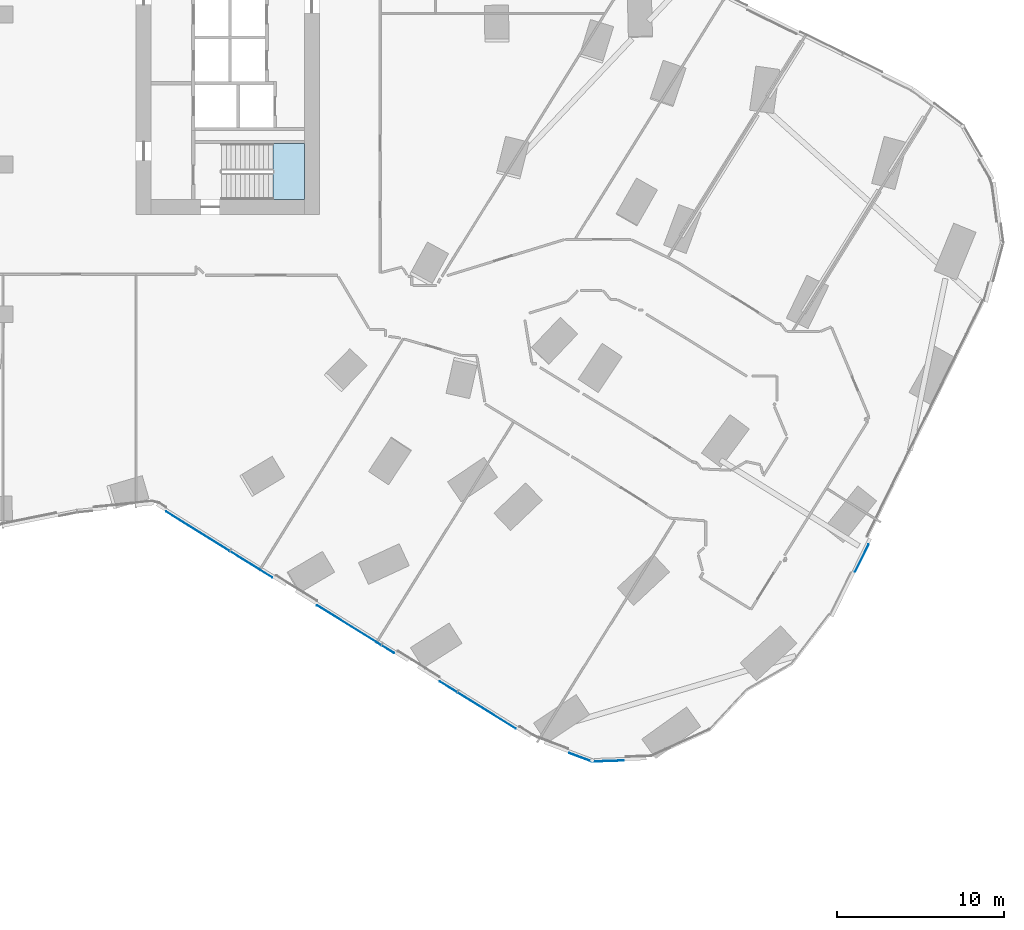
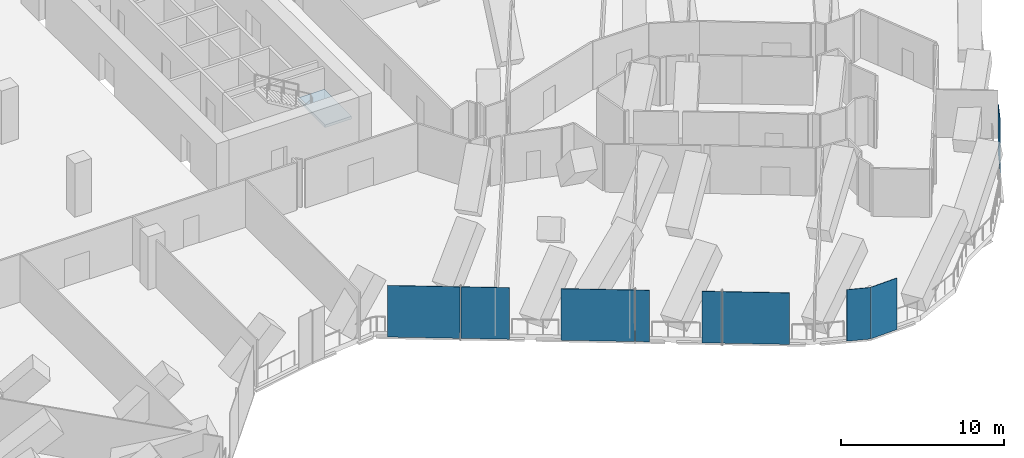
# One storey, part 18 of 31: 9 plates, 1 slab, 5 elements without a shape of their own.
"""IFC4 building model written with IfcOpenShell, lengths in metres."""

from ifc_helpers import new_model, si_unit, direction, frame, origin, origin_2d, place, context, subcontext, project, spatial, polyline, rectangle, outline, extrude, material, layer, layer_set, type_object, element, aggregate, save


model = new_model("IFC4")

# Units and contexts
model_context = context("Model", 3, precision=1e-05, world=origin(), true_north=direction((0.0, 1.0)))
body_context = subcontext(model_context, "Body", "Model", "MODEL_VIEW")
ifc_project = project(units=[si_unit("LENGTHUNIT", "METRE"), si_unit("AREAUNIT", "SQUARE_METRE"), si_unit("VOLUMEUNIT", "CUBIC_METRE"), si_unit("PLANEANGLEUNIT", "RADIAN"), si_unit("MASSUNIT", "GRAM", prefix="KILO")], contexts=[model_context])

# Site, building, storey
site_placement = place(None, origin())
site = spatial("IfcSite", under=ifc_project, at=site_placement, CompositionType="ELEMENT")
building_placement = place(site_placement, origin())
building = spatial("IfcBuilding", under=site, at=building_placement, Name="Orlundy Tower", CompositionType="ELEMENT")
storey_placement = place(building_placement, frame((0.0, 0.0, 54.800048828125)))
storey = spatial("IfcBuildingStorey", under=building, at=storey_placement, Name="L12", CompositionType="ELEMENT", Elevation=54.800048828125)

# Curtain wall, plate
ifc_material_1 = material(Name="Aluminium bronze anodised", Category="aluminium")
curtain_wall_type = type_object("IfcCurtainWallType", Name="CW5 wall", PredefinedType="NOTDEFINED", material=ifc_material_1)
curtain_wall_1_placement = place(storey_placement, origin())
curtain_wall_1 = element("IfcCurtainWall", 1, at=curtain_wall_1_placement, inside=storey, type_object=curtain_wall_type, Name="CW5 run 034", PredefinedType="NOTDEFINED")
ifc_material_2 = material(Name="Tinted glass", Category="glass")
ifc_layer_1 = layer(ifc_material_2, 0.031982421875)
ifc_layer_set_1 = layer_set([ifc_layer_1], Name="CW5 glass panel 32")
plate_type_1 = type_object("IfcPlateType", Name="CW5 glass panel 32", PredefinedType="CURTAIN_PANEL", material=ifc_layer_set_1)
plate_1_placement = place(storey_placement, frame((51.578369140625, -32.63427734375, -0.26025390625), z_axis=(0.0, 0.0, 1.0), x_axis=(-0.441012235503, -0.897501090883, 0.0)))
plate_1 = element("IfcPlate", 2, at=plate_1_placement, type_object=plate_type_1, Name="CW5 panel", PredefinedType="CURTAIN_PANEL", context=body_context, shape_type="SweptSolid", body=[
    extrude(rectangle(XDim=1.82958984375, YDim=0.031982421875, at=origin_2d()), origin(), (0.0, 0.0, 1.0), 3.860107421875),
])
aggregate(curtain_wall_1, [plate_1])

curtain_wall_2_placement = place(storey_placement, origin())
curtain_wall_2 = element("IfcCurtainWall", 3, at=curtain_wall_2_placement, inside=storey, type_object=curtain_wall_type, Name="CW5 run 039", PredefinedType="NOTDEFINED")
plate_2_placement = place(storey_placement, frame((36.3232421875, -44.8203125, -0.26025390625), z_axis=(0.0, 0.0, 1.0), x_axis=(-0.99944040698, -0.033449557474, 0.0)))
plate_2 = element("IfcPlate", 4, at=plate_2_placement, type_object=plate_type_1, Name="CW5 panel", PredefinedType="CURTAIN_PANEL", context=body_context, shape_type="SweptSolid", body=[
    extrude(rectangle(XDim=1.908203125, YDim=0.031982421875, at=origin_2d()), origin(), (0.0, 0.0, 1.0), 3.860107421875),
])
aggregate(curtain_wall_2, [plate_2])

curtain_wall_3_placement = place(storey_placement, origin())
curtain_wall_3 = element("IfcCurtainWall", 5, at=curtain_wall_3_placement, inside=storey, type_object=curtain_wall_type, Name="CW5 run 040", PredefinedType="NOTDEFINED")
plate_3_placement = place(storey_placement, frame((34.683349609375, -44.594482421875, -0.26025390625), z_axis=(0.0, 0.0, 1.0), x_axis=(-0.936173864009, 0.351537332791, 0.0)))
plate_3 = element("IfcPlate", 6, at=plate_3_placement, type_object=plate_type_1, Name="CW5 panel", PredefinedType="CURTAIN_PANEL", context=body_context, shape_type="SweptSolid", body=[
    extrude(rectangle(XDim=1.4658203125, YDim=0.031982421875, at=origin_2d()), origin(), (0.0, 0.0, 1.0), 3.860107421875),
])
aggregate(curtain_wall_3, [plate_3])

# Curtain wall, plates
curtain_wall_4_placement = place(storey_placement, origin())
curtain_wall_4 = element("IfcCurtainWall", 7, at=curtain_wall_4_placement, inside=storey, type_object=curtain_wall_type, Name="CW5 run 041", PredefinedType="NOTDEFINED")
plate_4_placement = place(storey_placement, frame((26.74658203125, -40.362548828125, -0.26025390625), z_axis=(0.0, 0.0, 1.0), x_axis=(-0.849586512969, 0.52744929328, 0.0)))
plate_4 = element("IfcPlate", 8, at=plate_4_placement, type_object=plate_type_1, Name="CW5 panel", PredefinedType="CURTAIN_PANEL", context=body_context, shape_type="SweptSolid", body=[
    extrude(rectangle(XDim=1.210205078125, YDim=0.031982421875, at=origin_2d()), origin(), (0.0, 0.0, 1.0), 3.860107421875),
])
plate_5_placement = place(storey_placement, frame((23.114013671875, -38.107421875, -0.26025390625), z_axis=(0.0, 0.0, 1.0), x_axis=(-0.849586512969, 0.52744929328, 0.0)))
plate_5 = element("IfcPlate", 9, at=plate_5_placement, type_object=plate_type_1, Name="CW5 panel", PredefinedType="CURTAIN_PANEL", context=body_context, shape_type="SweptSolid", body=[
    extrude(rectangle(XDim=0.8515625, YDim=0.031982421875, at=origin_2d()), origin(), (0.0, 0.0, 1.0), 3.860107421875),
])
plate_6_placement = place(storey_placement, frame((20.7861328125, -36.662109375, -0.26025390625), z_axis=(0.0, 0.0, 1.0), x_axis=(-0.849586512969, 0.52744929328, 0.0)))
plate_6 = element("IfcPlate", 10, at=plate_6_placement, type_object=plate_type_1, Name="CW5 panel", PredefinedType="CURTAIN_PANEL", context=body_context, shape_type="SweptSolid", body=[
    extrude(rectangle(XDim=4.528076171875, YDim=0.031982421875, at=origin_2d()), origin(), (0.0, 0.0, 1.0), 3.860107421875),
])
plate_7_placement = place(storey_placement, frame((11.70654296875, -31.025390625, -0.26025390625), z_axis=(0.0, 0.0, 1.0), x_axis=(-0.849586512969, 0.52744929328, 0.0)))
plate_7 = element("IfcPlate", 11, at=plate_7_placement, type_object=plate_type_1, Name="CW5 panel", PredefinedType="CURTAIN_PANEL", context=body_context, shape_type="SweptSolid", body=[
    extrude(rectangle(XDim=4.475341796875, YDim=0.031982421875, at=origin_2d()), origin(), (0.0, 0.0, 1.0), 3.860107421875),
])
ifc_material_3 = material(Name="Tinted glass", Category="glass")
ifc_layer_2 = layer(ifc_material_3, 0.031982421875)
ifc_layer_set_2 = layer_set([ifc_layer_2], Name="CW5 vent panel 32")
plate_type_2 = type_object("IfcPlateType", Name="CW5 vent panel 32", PredefinedType="CURTAIN_PANEL", material=ifc_layer_set_2)
plate_8_placement = place(storey_placement, frame((29.047607421875, -41.791259765625, -0.26025390625), z_axis=(0.0, 0.0, 1.0), x_axis=(-0.849586512969, 0.52744929328, 0.0)))
plate_8 = element("IfcPlate", 12, at=plate_8_placement, type_object=plate_type_2, Name="CW5 panel", PredefinedType="CURTAIN_PANEL", context=body_context, shape_type="SweptSolid", body=[
    extrude(rectangle(XDim=4.106689453125, YDim=0.031982421875, at=origin_2d()), origin(), (0.0, 0.0, 1.0), 3.860107421875),
])
plate_9_placement = place(storey_placement, frame((14.91162109375, -33.01513671875, -0.26025390625), z_axis=(0.0, 0.0, 1.0), x_axis=(-0.849586512969, 0.52744929328, 0.0)))
plate_9 = element("IfcPlate", 13, at=plate_9_placement, type_object=plate_type_2, Name="CW5 panel", PredefinedType="CURTAIN_PANEL", context=body_context, shape_type="SweptSolid", body=[
    extrude(rectangle(XDim=2.969482421875, YDim=0.031982421875, at=origin_2d()), origin(), (0.0, 0.0, 1.0), 3.860107421875),
])
aggregate(curtain_wall_4, [plate_8, plate_4, plate_5, plate_6, plate_9, plate_7])

# Stair, slab
ifc_material_4 = material(Name="Concrete C50/60", Category="concrete")
stair_type = type_object("IfcStairType", Name="Exit Stair 24 risers", PredefinedType="HALF_TURN_STAIR", material=ifc_material_4)
stair_placement = place(storey_placement, origin())
stair = element("IfcStair", 14, at=stair_placement, inside=storey, type_object=stair_type, Name="L12 Exit Stair ST-E1", PredefinedType="HALF_TURN_STAIR")
ifc_material_5 = material(Name="Concrete C50/60", Category="concrete")
ifc_layer_3 = layer(ifc_material_5, 0.199951171875)
ifc_layer_set_3 = layer_set([ifc_layer_3], Name="Exit Stair Landing")
slab_type = type_object("IfcSlabType", Name="Exit Stair Landing", PredefinedType="LANDING", material=ifc_layer_set_3)
slab_placement = place(storey_placement, frame((0.0, 0.0, 1.800048828125)))
slab = element("IfcSlab", 15, at=slab_placement, type_object=slab_type, Name="ST-E1 landing 1", PredefinedType="LANDING", context=body_context, shape_type="SweptSolid", body=[
    extrude(outline(polyline([(16.219970703125, -11.10009765625), (18.10009765625, -11.10009765625), (18.10009765625, -7.75), (16.219970703125, -7.75), (16.219970703125, -11.10009765625)])), origin(), (0.0, 0.0, 1.0), 0.199951171875),
])
aggregate(stair, [slab])

save(model, "model.ifc")
